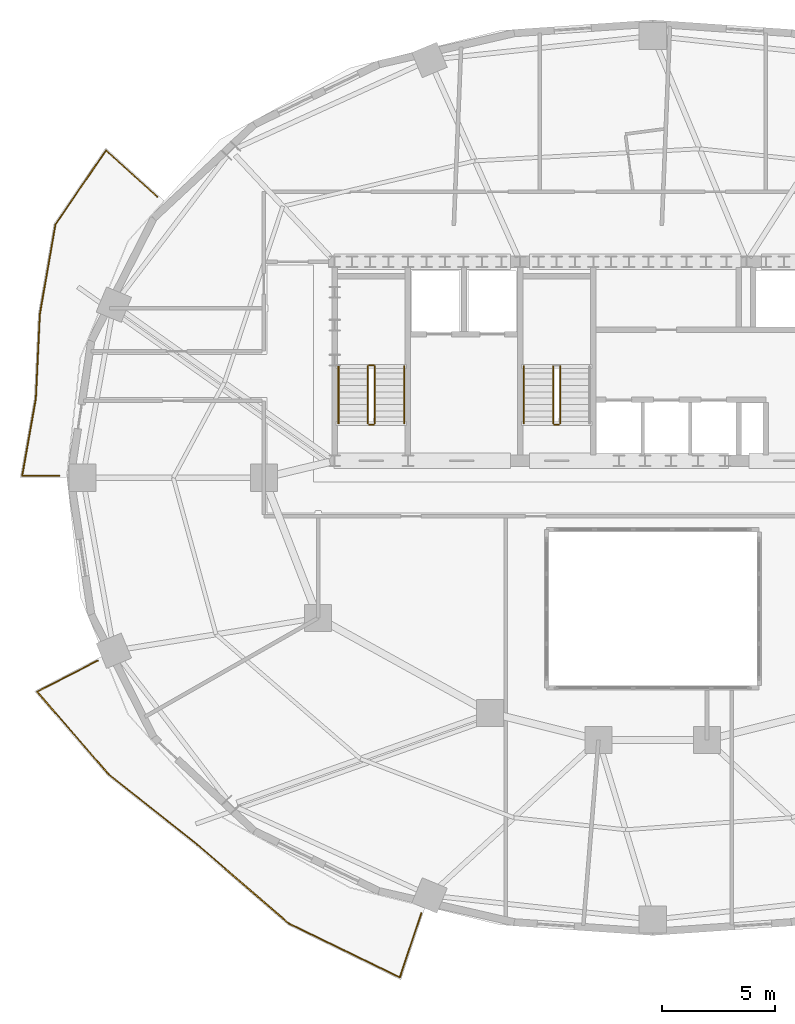
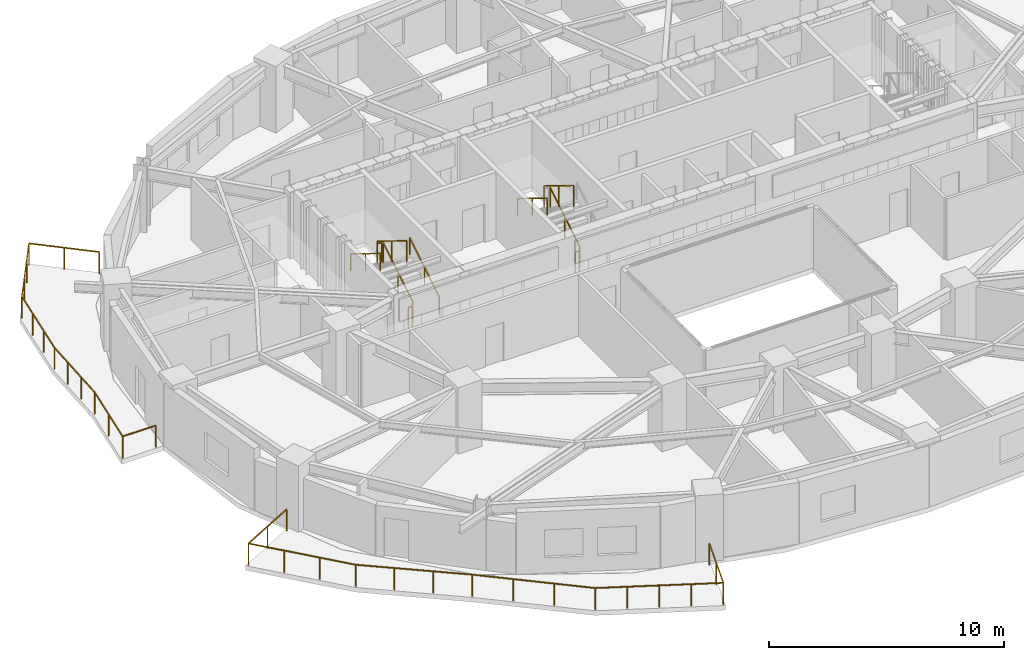
# One storey, part 10 of 13: 12 railings.
"""IFC4 building model written with IfcOpenShell, lengths in metres."""

from ifc_helpers import new_model, si_unit, direction, frame, origin, origin_2d, place, context, subcontext, project, spatial, rectangle, extrude, material, type_object, element, save


model = new_model("IFC4")

# Units and contexts
model_context = context("Model", 3, precision=1e-05, world=origin(), true_north=direction((0.0, 1.0)))
body_context = subcontext(model_context, "Body", "Model", "MODEL_VIEW")
ifc_project = project(units=[si_unit("LENGTHUNIT", "METRE"), si_unit("AREAUNIT", "SQUARE_METRE"), si_unit("VOLUMEUNIT", "CUBIC_METRE"), si_unit("PLANEANGLEUNIT", "RADIAN"), si_unit("MASSUNIT", "GRAM", prefix="KILO")], contexts=[model_context])

# Site, building, storey
site_placement = place(None, origin())
site = spatial("IfcSite", under=ifc_project, at=site_placement, CompositionType="ELEMENT")
building_placement = place(site_placement, origin())
building = spatial("IfcBuilding", under=site, at=building_placement, Name="Haldorwick Loom Tower", CompositionType="ELEMENT")
storey_placement = place(building_placement, frame((0.0, 0.0, 139.10009765625)))
storey = spatial("IfcBuildingStorey", under=building, at=storey_placement, Name="L37", CompositionType="ELEMENT", Elevation=139.10009765625)

# Railings
ifc_material_1 = material(Name="Galvanized Steel CSA G40.21 350W", Category="steel")
railing_type_1 = type_object("IfcRailingType", Name="ARC-RLG-BAL115", PredefinedType="BALUSTRADE", material=ifc_material_1)
railing_1_placement = place(storey_placement, frame((25.756591796875, 6.728515625, 0.0)))
element("IfcRailing", 1, at=railing_1_placement, inside=storey, type_object=railing_type_1, Name="L37 Outdoor Terrace Guardrail SLB-L37-BAL_SW-1", PredefinedType="BALUSTRADE", context=body_context, shape_type="SweptSolid", body=[
    extrude(rectangle(XDim=0.048095703125, YDim=0.048095703125, at=origin_2d()), frame((0.0, 0.0, 1.1259765625), z_axis=(-0.316522037821, -0.948585156733, 0.0), x_axis=(0.948585156733, -0.316522037821, 0.0)), (0.0, 0.0, 1.0), 2.986572265625),
    extrude(rectangle(XDim=0.048095703125, YDim=0.048095703125, at=origin_2d()), frame((-0.9453125, -2.8330078125, 1.1259765625), z_axis=(-0.899116897768, 0.43770858359, 0.0), x_axis=(-0.43770858359, -0.899116897768, 0.0)), (0.0, 0.0, 1.0), 5.469970703125),
    extrude(rectangle(XDim=0.048095703125, YDim=0.048095703125, at=origin_2d()), frame((-5.863525390625, -0.438720703125, 1.1259765625), z_axis=(-0.757220744918, 0.653159049134, 0.0), x_axis=(-0.653159049134, -0.757220744918, 0.0)), (0.0, 0.0, 1.0), 5.32568359375),
    extrude(rectangle(XDim=0.048095703125, YDim=0.048095703125, at=origin_2d()), frame((-9.896240234375, 3.039794921875, 1.1259765625), z_axis=(-0.773957299203, 0.633237790257, 0.0), x_axis=(-0.633237790257, -0.773957299203, 0.0)), (0.0, 0.0, 1.0), 0.00341796875),
    extrude(rectangle(XDim=0.048095703125, YDim=0.048095703125, at=origin_2d()), frame((-9.89892578125, 3.0419921875, 1.1259765625), z_axis=(-0.783726636091, 0.621105916798, 0.0), x_axis=(-0.621105916798, -0.783726636091, 0.0)), (0.0, 0.0, 1.0), 5.01123046875),
    extrude(rectangle(XDim=0.048095703125, YDim=0.048095703125, at=origin_2d()), frame((-13.826416015625, 6.154541015625, 1.1259765625), z_axis=(-0.654367841929, 0.756176386466, 0.0), x_axis=(-0.756176386466, -0.654367841929, 0.0)), (0.0, 0.0, 1.0), 4.824951171875),
    extrude(rectangle(XDim=0.048095703125, YDim=0.048095703125, at=origin_2d()), frame((-16.983642578125, 9.802978515625, 1.1259765625), z_axis=(0.888510792564, 0.458855719695, 0.0), x_axis=(-0.458855719695, 0.888510792564, 0.0)), (0.0, 0.0, 1.0), 3.009765625),
    extrude(rectangle(XDim=0.0419921875, YDim=0.0419921875, at=origin_2d()), origin(), (0.0, 0.0, 1.0), 1.101806640625),
    extrude(rectangle(XDim=0.0419921875, YDim=0.0419921875, at=origin_2d()), frame((-0.47265625, -1.41650390625, 0.0)), (0.0, 0.0, 1.0), 1.101806640625),
    extrude(rectangle(XDim=0.0419921875, YDim=0.0419921875, at=origin_2d()), frame((-0.9453125, -2.8330078125, 0.0)), (0.0, 0.0, 1.0), 1.101806640625),
    extrude(rectangle(XDim=0.0419921875, YDim=0.0419921875, at=origin_2d()), frame((-2.1748046875, -2.234375, 0.0)), (0.0, 0.0, 1.0), 1.101806640625),
    extrude(rectangle(XDim=0.0419921875, YDim=0.0419921875, at=origin_2d()), frame((-3.404296875, -1.6357421875, 0.0)), (0.0, 0.0, 1.0), 1.101806640625),
    extrude(rectangle(XDim=0.0419921875, YDim=0.0419921875, at=origin_2d()), frame((-4.634033203125, -1.037353515625, 0.0)), (0.0, 0.0, 1.0), 1.101806640625),
    extrude(rectangle(XDim=0.0419921875, YDim=0.0419921875, at=origin_2d()), frame((-5.863525390625, -0.438720703125, 0.0)), (0.0, 0.0, 1.0), 1.101806640625),
    extrude(rectangle(XDim=0.0419921875, YDim=0.0419921875, at=origin_2d()), frame((-7.207763671875, 0.720703125, 0.0)), (0.0, 0.0, 1.0), 1.101806640625),
    extrude(rectangle(XDim=0.0419921875, YDim=0.0419921875, at=origin_2d()), frame((-8.552001953125, 1.88037109375, 0.0)), (0.0, 0.0, 1.0), 1.101806640625),
    extrude(rectangle(XDim=0.0419921875, YDim=0.0419921875, at=origin_2d()), frame((-9.896240234375, 3.039794921875, 0.0)), (0.0, 0.0, 1.0), 1.101806640625),
    extrude(rectangle(XDim=0.0419921875, YDim=0.0419921875, at=origin_2d()), frame((-11.2080078125, 4.07958984375, 0.0)), (0.0, 0.0, 1.0), 1.101806640625),
    extrude(rectangle(XDim=0.0419921875, YDim=0.0419921875, at=origin_2d()), frame((-12.517333984375, 5.116943359375, 0.0)), (0.0, 0.0, 1.0), 1.101806640625),
    extrude(rectangle(XDim=0.0419921875, YDim=0.0419921875, at=origin_2d()), frame((-13.826416015625, 6.154541015625, 0.0)), (0.0, 0.0, 1.0), 1.101806640625),
    extrude(rectangle(XDim=0.0419921875, YDim=0.0419921875, at=origin_2d()), frame((-14.87890625, 7.37060546875, 0.0)), (0.0, 0.0, 1.0), 1.101806640625),
    extrude(rectangle(XDim=0.0419921875, YDim=0.0419921875, at=origin_2d()), frame((-15.93115234375, 8.5869140625, 0.0)), (0.0, 0.0, 1.0), 1.101806640625),
    extrude(rectangle(XDim=0.0419921875, YDim=0.0419921875, at=origin_2d()), frame((-16.983642578125, 9.802978515625, 0.0)), (0.0, 0.0, 1.0), 1.101806640625),
    extrude(rectangle(XDim=0.0419921875, YDim=0.0419921875, at=origin_2d()), frame((-15.646484375, 10.49365234375, 0.0)), (0.0, 0.0, 1.0), 1.101806640625),
    extrude(rectangle(XDim=0.0419921875, YDim=0.0419921875, at=origin_2d()), frame((-14.309326171875, 11.18408203125, 0.0)), (0.0, 0.0, 1.0), 1.101806640625),
])
railing_2_placement = place(storey_placement, frame((9.73974609375, 26.080078125, 0.0)))
element("IfcRailing", 2, at=railing_2_placement, inside=storey, type_object=railing_type_1, Name="L37 Outdoor Terrace Guardrail SLB-L37-BAL_WNW-1", PredefinedType="BALUSTRADE", context=body_context, shape_type="SweptSolid", body=[
    extrude(rectangle(XDim=0.048095703125, YDim=0.048095703125, at=origin_2d()), frame((0.0, 0.0, 1.1259765625), z_axis=(-1.0, 0.0, 0.0), x_axis=(0.0, -1.0, 0.0)), (0.0, 0.0, 1.0), 1.633056640625),
    extrude(rectangle(XDim=0.048095703125, YDim=0.048095703125, at=origin_2d()), frame((-1.633056640625, 0.0, 1.1259765625), z_axis=(0.174402362104, 0.984674472144, 0.0), x_axis=(-0.984674472144, 0.174402362104, 0.0)), (0.0, 0.0, 1.0), 3.475830078125),
    extrude(rectangle(XDim=0.048095703125, YDim=0.048095703125, at=origin_2d()), frame((-1.02685546875, 3.422607421875, 1.1259765625), z_axis=(0.118212889785, 0.992988274195, 0.0), x_axis=(-0.992988274195, 0.118212889785, 0.0)), (0.0, 0.0, 1.0), 0.01025390625),
    extrude(rectangle(XDim=0.048095703125, YDim=0.048095703125, at=origin_2d()), frame((-1.025634765625, 3.432861328125, 1.1259765625), z_axis=(0.047350743594, 0.998878324463, 0.0), x_axis=(-0.998878324463, 0.047350743594, 0.0)), (0.0, 0.0, 1.0), 3.73291015625),
    extrude(rectangle(XDim=0.048095703125, YDim=0.048095703125, at=origin_2d()), frame((-0.848876953125, 7.16162109375, 1.1259765625), z_axis=(0.171625353709, 0.985162290166, 0.0), x_axis=(-0.985162290166, 0.171625353709, 0.0)), (0.0, 0.0, 1.0), 4.0244140625),
    extrude(rectangle(XDim=0.048095703125, YDim=0.048095703125, at=origin_2d()), frame((-0.158203125, 11.126220703125, 1.1259765625), z_axis=(0.563872418529, 0.825861910747, 0.0), x_axis=(-0.825861910747, 0.563872418529, 0.0)), (0.0, 0.0, 1.0), 3.95947265625),
    extrude(rectangle(XDim=0.048095703125, YDim=0.048095703125, at=origin_2d()), frame((2.074462890625, 14.396240234375, 1.1259765625), z_axis=(0.741530121313, -0.670919577286, 0.0), x_axis=(0.670919577286, 0.741530121313, 0.0)), (0.0, 0.0, 1.0), 3.06689453125),
    extrude(rectangle(XDim=0.0419921875, YDim=0.0419921875, at=origin_2d()), origin(), (0.0, 0.0, 1.0), 1.101806640625),
    extrude(rectangle(XDim=0.0419921875, YDim=0.0419921875, at=origin_2d()), frame((-1.633056640625, 0.0, 0.0)), (0.0, 0.0, 1.0), 1.101806640625),
    extrude(rectangle(XDim=0.0419921875, YDim=0.0419921875, at=origin_2d()), frame((-1.330078125, 1.71142578125, 0.0)), (0.0, 0.0, 1.0), 1.101806640625),
    extrude(rectangle(XDim=0.0419921875, YDim=0.0419921875, at=origin_2d()), frame((-1.02685546875, 3.422607421875, 0.0)), (0.0, 0.0, 1.0), 1.101806640625),
    extrude(rectangle(XDim=0.0419921875, YDim=0.0419921875, at=origin_2d()), frame((-0.966796875, 4.67578125, 0.0)), (0.0, 0.0, 1.0), 1.101806640625),
    extrude(rectangle(XDim=0.0419921875, YDim=0.0419921875, at=origin_2d()), frame((-0.90771484375, 5.918701171875, 0.0)), (0.0, 0.0, 1.0), 1.101806640625),
    extrude(rectangle(XDim=0.0419921875, YDim=0.0419921875, at=origin_2d()), frame((-0.848876953125, 7.16162109375, 0.0)), (0.0, 0.0, 1.0), 1.101806640625),
    extrude(rectangle(XDim=0.0419921875, YDim=0.0419921875, at=origin_2d()), frame((-0.61865234375, 8.483154296875, 0.0)), (0.0, 0.0, 1.0), 1.101806640625),
    extrude(rectangle(XDim=0.0419921875, YDim=0.0419921875, at=origin_2d()), frame((-0.388427734375, 9.8046875, 0.0)), (0.0, 0.0, 1.0), 1.101806640625),
    extrude(rectangle(XDim=0.0419921875, YDim=0.0419921875, at=origin_2d()), frame((-0.158203125, 11.126220703125, 0.0)), (0.0, 0.0, 1.0), 1.101806640625),
    extrude(rectangle(XDim=0.0419921875, YDim=0.0419921875, at=origin_2d()), frame((0.5859375, 12.21630859375, 0.0)), (0.0, 0.0, 1.0), 1.101806640625),
    extrude(rectangle(XDim=0.0419921875, YDim=0.0419921875, at=origin_2d()), frame((1.330322265625, 13.30615234375, 0.0)), (0.0, 0.0, 1.0), 1.101806640625),
    extrude(rectangle(XDim=0.0419921875, YDim=0.0419921875, at=origin_2d()), frame((2.074462890625, 14.396240234375, 0.0)), (0.0, 0.0, 1.0), 1.101806640625),
    extrude(rectangle(XDim=0.0419921875, YDim=0.0419921875, at=origin_2d()), frame((3.21142578125, 13.367431640625, 0.0)), (0.0, 0.0, 1.0), 1.101806640625),
    extrude(rectangle(XDim=0.0419921875, YDim=0.0419921875, at=origin_2d()), frame((4.3486328125, 12.338623046875, 0.0)), (0.0, 0.0, 1.0), 1.101806640625),
])
ifc_material_2 = material(Name="Steel CSA G40.21 350W", Category="steel")
railing_type_2 = type_object("IfcRailingType", Name="ARC-RLG-GUARD112", PredefinedType="GUARDRAIL", material=ifc_material_2)
railing_3_placement = place(storey_placement, frame((23.699951171875, 28.39990234375, 0.17236328125)))
element("IfcRailing", 3, at=railing_3_placement, inside=storey, type_object=railing_type_2, Name="L37 ST-01 stair guard 1", PredefinedType="GUARDRAIL", context=body_context, shape_type="SweptSolid", body=[
    extrude(rectangle(XDim=0.048095703125, YDim=0.048095703125, at=origin_2d()), frame((0.0, 0.0, 1.076171875), z_axis=(0.0, 0.851400495292, 0.524516154772), x_axis=(-1.0, 0.0, 0.0)), (0.0, 0.0, 1.0), 2.9599609375),
    extrude(rectangle(XDim=0.0419921875, YDim=0.0419921875, at=origin_2d()), origin(), (0.0, 0.0, 1.0), 1.052001953125),
    extrude(rectangle(XDim=0.0419921875, YDim=0.0419921875, at=origin_2d()), frame((0.0, 1.260009765625, 0.7763671875)), (0.0, 0.0, 1.0), 1.052001953125),
    extrude(rectangle(XDim=0.0419921875, YDim=0.0419921875, at=origin_2d()), frame((0.0, 2.52001953125, 1.552490234375)), (0.0, 0.0, 1.0), 1.052001953125),
])
railing_4_placement = place(storey_placement, frame((23.64990234375, 30.969970703125, 1.724853515625)))
element("IfcRailing", 4, at=railing_4_placement, inside=storey, type_object=railing_type_2, Name="L37 ST-01 stair guard 2", PredefinedType="GUARDRAIL", context=body_context, shape_type="SweptSolid", body=[
    extrude(rectangle(XDim=0.048095703125, YDim=0.048095703125, at=origin_2d()), frame((0.0, 0.0, 1.076171875), z_axis=(-1.0, 0.0, 0.0), x_axis=(0.0, -1.0, 0.0)), (0.0, 0.0, 1.0), 0.199951171875),
    extrude(rectangle(XDim=0.0419921875, YDim=0.0419921875, at=origin_2d()), origin(), (0.0, 0.0, 1.0), 1.052001953125),
    extrude(rectangle(XDim=0.0419921875, YDim=0.0419921875, at=origin_2d()), frame((-0.199951171875, 0.0, 0.0)), (0.0, 0.0, 1.0), 1.052001953125),
])
railing_5_placement = place(storey_placement, frame((23.39990234375, 30.919921875, 1.8974609375)))
element("IfcRailing", 5, at=railing_5_placement, inside=storey, type_object=railing_type_2, Name="L37 ST-01 stair guard 3", PredefinedType="GUARDRAIL", context=body_context, shape_type="SweptSolid", body=[
    extrude(rectangle(XDim=0.048095703125, YDim=0.048095703125, at=origin_2d()), frame((0.0, 0.0, 1.076171875), z_axis=(0.0, -0.851400495292, 0.524516154772), x_axis=(1.0, 0.0, 0.0)), (0.0, 0.0, 1.0), 2.9599609375),
    extrude(rectangle(XDim=0.0419921875, YDim=0.0419921875, at=origin_2d()), origin(), (0.0, 0.0, 1.0), 1.052001953125),
    extrude(rectangle(XDim=0.0419921875, YDim=0.0419921875, at=origin_2d()), frame((0.0, -1.260009765625, 0.7763671875)), (0.0, 0.0, 1.0), 1.052001953125),
    extrude(rectangle(XDim=0.0419921875, YDim=0.0419921875, at=origin_2d()), frame((0.0, -2.52001953125, 1.552490234375)), (0.0, 0.0, 1.0), 1.052001953125),
])
railing_6_placement = place(storey_placement, frame((23.64990234375, 28.35009765625, 0.0)))
element("IfcRailing", 6, at=railing_6_placement, inside=storey, type_object=railing_type_2, Name="L37 ST-01 stair guard 4", PredefinedType="GUARDRAIL", context=body_context, shape_type="SweptSolid", body=[
    extrude(rectangle(XDim=0.048095703125, YDim=0.048095703125, at=origin_2d()), frame((0.0, 0.0, 1.076171875), z_axis=(-1.0, 0.0, 0.0), x_axis=(0.0, -1.0, 0.0)), (0.0, 0.0, 1.0), 0.199951171875),
    extrude(rectangle(XDim=0.0419921875, YDim=0.0419921875, at=origin_2d()), origin(), (0.0, 0.0, 1.0), 1.052001953125),
    extrude(rectangle(XDim=0.0419921875, YDim=0.0419921875, at=origin_2d()), frame((-0.199951171875, 0.0, 0.0)), (0.0, 0.0, 1.0), 1.052001953125),
])
railing_7_placement = place(storey_placement, frame((31.89990234375, 28.39990234375, 0.17236328125)))
element("IfcRailing", 7, at=railing_7_placement, inside=storey, type_object=railing_type_2, Name="L37 ST-03 stair guard 1", PredefinedType="GUARDRAIL", context=body_context, shape_type="SweptSolid", body=[
    extrude(rectangle(XDim=0.048095703125, YDim=0.048095703125, at=origin_2d()), frame((0.0, 0.0, 1.076171875), z_axis=(0.0, 0.851400495292, 0.524516154772), x_axis=(-1.0, 0.0, 0.0)), (0.0, 0.0, 1.0), 2.9599609375),
    extrude(rectangle(XDim=0.0419921875, YDim=0.0419921875, at=origin_2d()), origin(), (0.0, 0.0, 1.0), 1.052001953125),
    extrude(rectangle(XDim=0.0419921875, YDim=0.0419921875, at=origin_2d()), frame((0.0, 1.260009765625, 0.7763671875)), (0.0, 0.0, 1.0), 1.052001953125),
    extrude(rectangle(XDim=0.0419921875, YDim=0.0419921875, at=origin_2d()), frame((0.0, 2.52001953125, 1.552490234375)), (0.0, 0.0, 1.0), 1.052001953125),
])
railing_8_placement = place(storey_placement, frame((31.60009765625, 30.919921875, 1.8974609375)))
element("IfcRailing", 8, at=railing_8_placement, inside=storey, type_object=railing_type_2, Name="L37 ST-03 stair guard 3", PredefinedType="GUARDRAIL", context=body_context, shape_type="SweptSolid", body=[
    extrude(rectangle(XDim=0.048095703125, YDim=0.048095703125, at=origin_2d()), frame((0.0, 0.0, 1.076171875), z_axis=(0.0, -0.851400495292, 0.524516154772), x_axis=(1.0, 0.0, 0.0)), (0.0, 0.0, 1.0), 2.9599609375),
    extrude(rectangle(XDim=0.0419921875, YDim=0.0419921875, at=origin_2d()), origin(), (0.0, 0.0, 1.0), 1.052001953125),
    extrude(rectangle(XDim=0.0419921875, YDim=0.0419921875, at=origin_2d()), frame((0.0, -1.260009765625, 0.7763671875)), (0.0, 0.0, 1.0), 1.052001953125),
    extrude(rectangle(XDim=0.0419921875, YDim=0.0419921875, at=origin_2d()), frame((0.0, -2.52001953125, 1.552490234375)), (0.0, 0.0, 1.0), 1.052001953125),
])
railing_9_placement = place(storey_placement, frame((31.85009765625, 28.35009765625, 0.0)))
element("IfcRailing", 9, at=railing_9_placement, inside=storey, type_object=railing_type_2, Name="L37 ST-03 stair guard 4", PredefinedType="GUARDRAIL", context=body_context, shape_type="SweptSolid", body=[
    extrude(rectangle(XDim=0.048095703125, YDim=0.048095703125, at=origin_2d()), frame((0.0, 0.0, 1.076171875), z_axis=(-1.0, 0.0, 0.0), x_axis=(0.0, -1.0, 0.0)), (0.0, 0.0, 1.0), 0.2001953125),
    extrude(rectangle(XDim=0.0419921875, YDim=0.0419921875, at=origin_2d()), origin(), (0.0, 0.0, 1.0), 1.052001953125),
    extrude(rectangle(XDim=0.0419921875, YDim=0.0419921875, at=origin_2d()), frame((-0.2001953125, 0.0, 0.0)), (0.0, 0.0, 1.0), 1.052001953125),
])
railing_type_3 = type_object("IfcRailingType", Name="ARC-RLG-HAND092", PredefinedType="HANDRAIL", material=ifc_material_2)
railing_10_placement = place(storey_placement, frame((25.0, 28.39990234375, 0.17236328125)))
element("IfcRailing", 10, at=railing_10_placement, inside=storey, type_object=railing_type_3, Name="L37 ST-01 stair handrail 1", PredefinedType="HANDRAIL", context=body_context, shape_type="SweptSolid", body=[
    extrude(rectangle(XDim=0.048095703125, YDim=0.048095703125, at=origin_2d()), frame((0.0, 0.0, 0.8759765625), z_axis=(0.0, 0.851400495292, 0.524516154772), x_axis=(-1.0, 0.0, 0.0)), (0.0, 0.0, 1.0), 2.9599609375),
    extrude(rectangle(XDim=0.0419921875, YDim=0.0419921875, at=origin_2d()), origin(), (0.0, 0.0, 1.0), 0.851806640625),
    extrude(rectangle(XDim=0.0419921875, YDim=0.0419921875, at=origin_2d()), frame((0.0, 1.260009765625, 0.7763671875)), (0.0, 0.0, 1.0), 0.851806640625),
    extrude(rectangle(XDim=0.0419921875, YDim=0.0419921875, at=origin_2d()), frame((0.0, 2.52001953125, 1.552490234375)), (0.0, 0.0, 1.0), 0.851806640625),
])
for number, where, name in (
    (11, (22.10009765625, 30.919921875, 1.8974609375), "L37 ST-01 stair handrail 2"),
    (12, (30.300048828125, 30.919921875, 1.8974609375), "L37 ST-03 stair handrail 2"),
):
    element("IfcRailing", number, at=place(storey_placement, frame(where)), inside=storey, type_object=railing_type_3, Name=name, PredefinedType="HANDRAIL", context=body_context, shape_type="SweptSolid", body=[
        extrude(rectangle(XDim=0.048095703125, YDim=0.048095703125, at=origin_2d()), frame((0.0, 0.0, 0.8759765625), z_axis=(0.0, -0.851400495292, 0.524516154772), x_axis=(1.0, 0.0, 0.0)), (0.0, 0.0, 1.0), 2.9599609375),
        extrude(rectangle(XDim=0.0419921875, YDim=0.0419921875, at=origin_2d()), origin(), (0.0, 0.0, 1.0), 0.851806640625),
        extrude(rectangle(XDim=0.0419921875, YDim=0.0419921875, at=origin_2d()), frame((0.0, -1.260009765625, 0.7763671875)), (0.0, 0.0, 1.0), 0.851806640625),
        extrude(rectangle(XDim=0.0419921875, YDim=0.0419921875, at=origin_2d()), frame((0.0, -2.52001953125, 1.552490234375)), (0.0, 0.0, 1.0), 0.851806640625),
    ])

save(model, "model.ifc")
